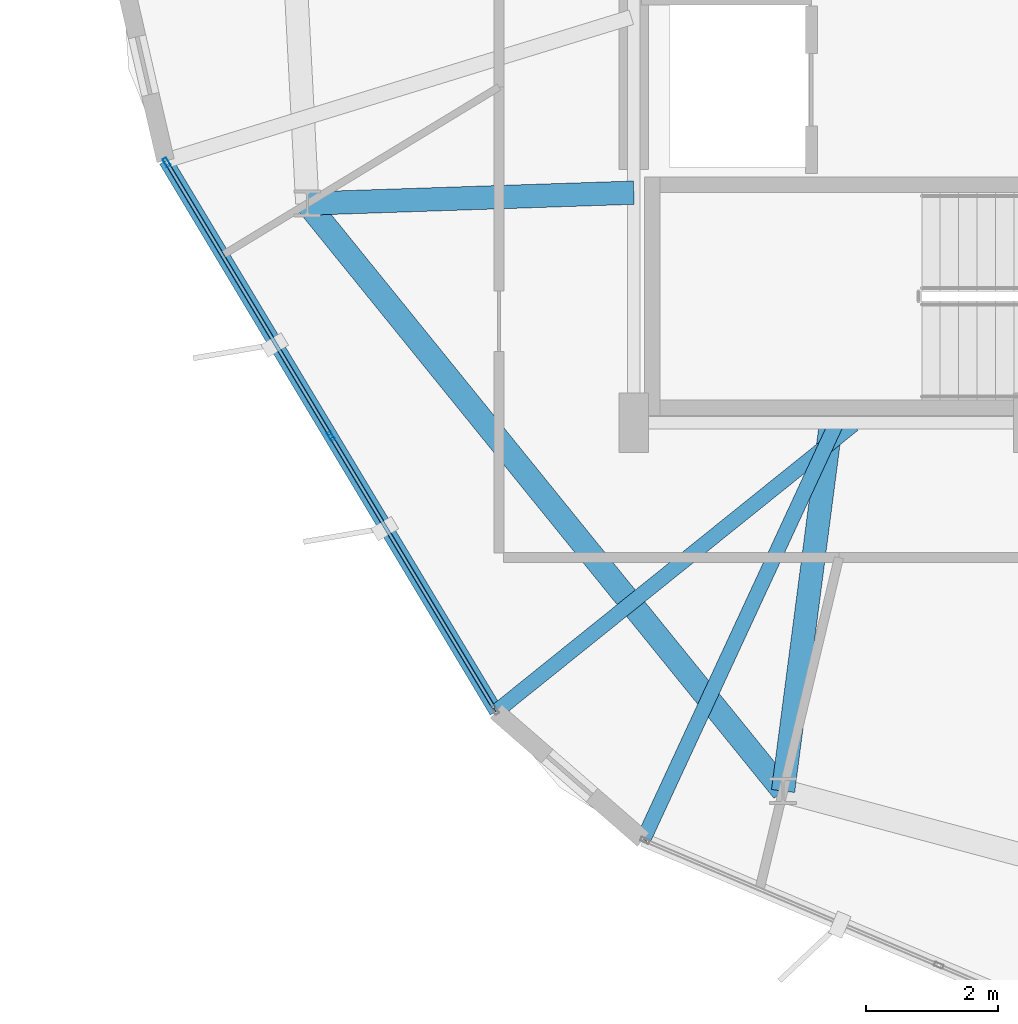
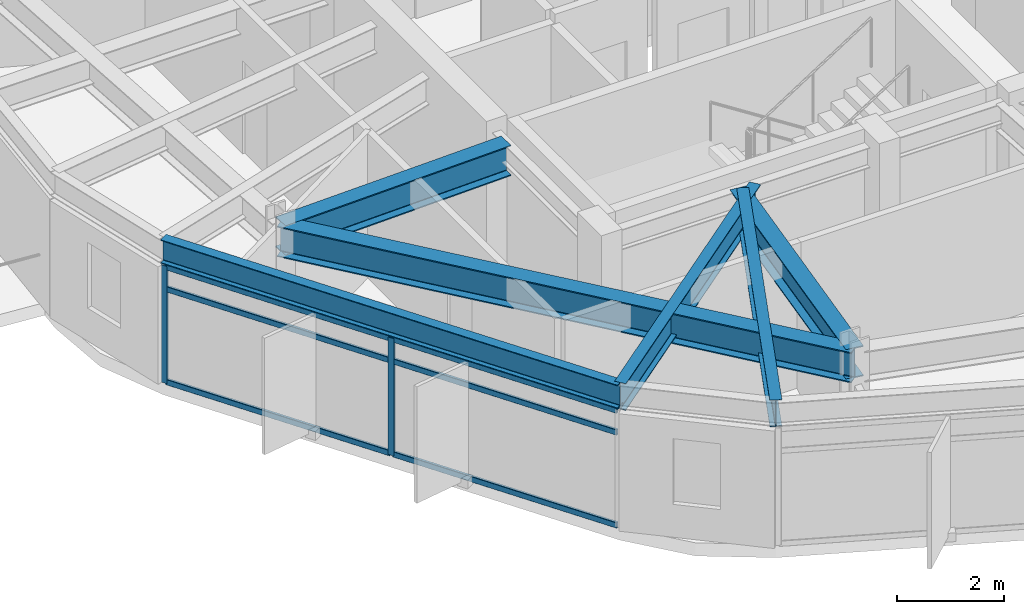
# One storey, part 3 of 27: 8 members, 6 beams, 1 element without a shape of its own.
"""IFC4 building model written with IfcOpenShell, lengths in metres."""

from ifc_helpers import new_model, si_unit, direction, frame, origin, origin_2d, place, context, subcontext, project, spatial, hollow_rectangle, i_section, extrude, material, layer, layer_set, material_profile, profile_set, type_object, element, aggregate, save


model = new_model("IFC4")

# Units and contexts
model_context = context("Model", 3, precision=1e-05, world=origin(), true_north=direction((0.0, 1.0)))
body_context = subcontext(model_context, "Body", "Model", "MODEL_VIEW")
ifc_project = project(units=[si_unit("LENGTHUNIT", "METRE"), si_unit("AREAUNIT", "SQUARE_METRE"), si_unit("VOLUMEUNIT", "CUBIC_METRE"), si_unit("PLANEANGLEUNIT", "RADIAN"), si_unit("MASSUNIT", "GRAM", prefix="KILO")], contexts=[model_context])

# Site, building, storey
site_placement = place(None, origin())
site = spatial("IfcSite", under=ifc_project, at=site_placement, CompositionType="ELEMENT")
building_placement = place(site_placement, origin())
building = spatial("IfcBuilding", under=site, at=building_placement, Name="Soratama Intermodal Tower", CompositionType="ELEMENT")
storey_placement = place(building_placement, frame((0.0, 0.0, 212.199951171875)))
storey = spatial("IfcBuildingStorey", under=building, at=storey_placement, Name="L53", CompositionType="ELEMENT", Elevation=212.199951171875)

# Beams
ifc_material_1 = material(Name="Structural steel ASTM A992 Grade 50", Category="steel")
ifc_material_profile_1 = material_profile(ifc_material_1, i_section(OverallWidth=0.35498046875, OverallDepth=0.695068359375, WebThickness=0.015380859375, FlangeThickness=0.02490234375, FilletRadius=0.01611328125, at=origin_2d()), Name="W27X146")
ifc_profile_set_1 = profile_set([ifc_material_profile_1], Name="Structural steel ASTM A992 Grade 50")
beam_type_1 = type_object("IfcBeamType", Name="BM-RING-W27X146", PredefinedType="BEAM", material=ifc_profile_set_1)
beam_1_placement = place(storey_placement, frame((27.635009765625, 18.333984375, 2.95263671875), z_axis=(0.629384551156, -0.777094001242, 0.0), x_axis=(0.777094001242, 0.629384551156, 0.0)))
element("IfcBeam", 1, at=beam_1_placement, inside=storey, type_object=beam_type_1, Name="BM-L53-RING-06", PredefinedType="BEAM", context=body_context, shape_type="SweptSolid", body=[
    extrude(i_section(OverallWidth=0.35498046875, OverallDepth=0.695068359375, WebThickness=0.015380859375, FlangeThickness=0.02490234375, FilletRadius=0.01611328125, at=origin_2d()), origin(), (0.0, 0.0, 1.0), 11.49560546875),
])
beam_2_placement = place(storey_placement, frame((32.60009765625, 18.5, 2.95263671875), z_axis=(-0.999441465401, -0.033417917907, 0.0), x_axis=(0.033417917907, -0.999441465401, 0.0)))
element("IfcBeam", 2, at=beam_2_placement, inside=storey, type_object=beam_type_1, Name="BM-L53-RAD-06", PredefinedType="BEAM", context=body_context, shape_type="SweptSolid", body=[
    extrude(i_section(OverallWidth=0.35498046875, OverallDepth=0.695068359375, WebThickness=0.015380859375, FlangeThickness=0.02490234375, FilletRadius=0.01611328125, at=origin_2d()), origin(), (0.0, 0.0, 1.0), 4.9677734375),
])
beam_3_placement = place(storey_placement, frame((35.60009765625, 15.0, 2.95263671875), z_axis=(-0.129280033694, -0.991608124658, 0.0), x_axis=(0.991608124658, -0.129280033694, 0.0)))
element("IfcBeam", 3, at=beam_3_placement, inside=storey, type_object=beam_type_1, Name="BM-L53-RAD-07", PredefinedType="BEAM", context=body_context, shape_type="SweptSolid", body=[
    extrude(i_section(OverallWidth=0.35498046875, OverallDepth=0.695068359375, WebThickness=0.015380859375, FlangeThickness=0.02490234375, FilletRadius=0.01611328125, at=origin_2d()), origin(), (0.0, 0.0, 1.0), 5.646484375),
])
ifc_material_2 = material(Name="Structural steel ASTM A992 Grade 50", Category="steel")
ifc_material_profile_2 = material_profile(ifc_material_2, i_section(OverallWidth=0.2099609375, OverallDepth=0.537109375, WebThickness=0.010986328125, FlangeThickness=0.017333984375, FilletRadius=0.012939453125, at=origin_2d()), Name="W21X68")
ifc_profile_set_2 = profile_set([ifc_material_profile_2], Name="Structural steel ASTM A992 Grade 50")
beam_type_2 = type_object("IfcBeamType", Name="BM-SPN-W21X68", PredefinedType="SPANDREL", material=ifc_profile_set_2)
beam_4_placement = place(storey_placement, frame((25.47998046875, 18.986083984375, 3.031494140625), z_axis=(0.514481055011, -0.857501745791, 0.0), x_axis=(0.857501745791, 0.514481055011, 0.0)))
element("IfcBeam", 4, at=beam_4_placement, inside=storey, type_object=beam_type_2, Name="BS-L53-F05", PredefinedType="SPANDREL", context=body_context, shape_type="SweptSolid", body=[
    extrude(i_section(OverallWidth=0.2099609375, OverallDepth=0.537109375, WebThickness=0.010986328125, FlangeThickness=0.017333984375, FilletRadius=0.012939453125, at=origin_2d()), origin(), (0.0, 0.0, 1.0), 9.769287109375),
])
ifc_material_3 = material(Name="Structural steel ASTM A992 Grade 50", Category="steel")
ifc_material_profile_3 = material_profile(ifc_material_3, i_section(OverallWidth=0.22900390625, OverallDepth=0.612060546875, WebThickness=0.011962890625, FlangeThickness=0.01953125, FilletRadius=0.012939453125, at=origin_2d()), Name="W24X84")
ifc_profile_set_3 = profile_set([ifc_material_profile_3], Name="Structural steel ASTM A992 Grade 50")
beam_type_3 = type_object("IfcBeamType", Name="BM-TIE-W24X84", PredefinedType="BEAM", material=ifc_profile_set_3)
beam_5_placement = place(storey_placement, frame((35.93701171875, 14.97509765625, 2.994140625), z_axis=(-0.779362587588, -0.626573185724, 0.0), x_axis=(0.626573185724, -0.779362587588, 0.0)))
element("IfcBeam", 5, at=beam_5_placement, inside=storey, type_object=beam_type_3, Name="BM-L53-TIE1-05", PredefinedType="BEAM", context=body_context, shape_type="SweptSolid", body=[
    extrude(i_section(OverallWidth=0.22900390625, OverallDepth=0.612060546875, WebThickness=0.011962890625, FlangeThickness=0.01953125, FilletRadius=0.012939453125, at=origin_2d()), origin(), (0.0, 0.0, 1.0), 6.968505859375),
])
beam_6_placement = place(storey_placement, frame((35.666015625, 14.964111328125, 2.994140625), z_axis=(-0.420708633064, -0.907195814621, 0.0), x_axis=(0.907195814621, -0.420708633064, 0.0)))
element("IfcBeam", 6, at=beam_6_placement, inside=storey, type_object=beam_type_3, Name="BM-L53-TIE0-06", PredefinedType="BEAM", context=body_context, shape_type="SweptSolid", body=[
    extrude(i_section(OverallWidth=0.22900390625, OverallDepth=0.612060546875, WebThickness=0.011962890625, FlangeThickness=0.01953125, FilletRadius=0.012939453125, at=origin_2d()), origin(), (0.0, 0.0, 1.0), 6.947998046875),
])

# Curtain wall, members
ifc_material_4 = material(Name="Double-glazed aluminium curtain wall", Category="aluminium")
ifc_layer = layer(ifc_material_4, 0.159912109375)
ifc_layer_set = layer_set([ifc_layer], Name="Double-glazed aluminium curtain wall")
curtain_wall_type = type_object("IfcCurtainWallType", Name="CW-SYS-5", PredefinedType="NOTDEFINED", material=ifc_layer_set)
curtain_wall_placement = place(storey_placement, origin())
curtain_wall = element("IfcCurtainWall", 7, at=curtain_wall_placement, inside=storey, type_object=curtain_wall_type, Name="L53 Faceted Curtain Wall F05", PredefinedType="NOTDEFINED")
ifc_material_5 = material(Name="Anodised aluminium AA 6063-T6", Category="aluminium")
ifc_material_profile_4 = material_profile(ifc_material_5, hollow_rectangle(XDim=0.06494140625, YDim=0.139892578125, WallThickness=0.0048828125, InnerFilletRadius=0.0048828125, OuterFilletRadius=0.010009765625, at=origin_2d()), Name="CWM140X65X5")
ifc_profile_set_4 = profile_set([ifc_material_profile_4], Name="Anodised aluminium AA 6063-T6")
member_type_1 = type_object("IfcMemberType", Name="MT-CWM-5", PredefinedType="MULLION", material=ifc_profile_set_4)
member_1_placement = place(storey_placement, frame((25.49560546875, 18.9599609375, 0.0), z_axis=(0.0, 0.0, 1.0), x_axis=(0.857527246406, 0.514438549948, 0.0)))
member_1 = element("IfcMember", 8, at=member_1_placement, type_object=member_type_1, Name="CW-5 mullion 1", PredefinedType="MULLION", context=body_context, shape_type="SweptSolid", body=[
    extrude(hollow_rectangle(XDim=0.06494140625, YDim=0.139892578125, WallThickness=0.0048828125, InnerFilletRadius=0.0048828125, OuterFilletRadius=0.010009765625, at=origin_2d()), origin(), (0.0, 0.0, 1.0), 2.678955078125),
])
member_2_placement = place(storey_placement, frame((27.992919921875, 14.79736328125, 0.0), z_axis=(0.0, 0.0, 1.0), x_axis=(0.857527246406, 0.514438549948, 0.0)))
member_2 = element("IfcMember", 9, at=member_2_placement, type_object=member_type_1, Name="CW-5 mullion 2", PredefinedType="MULLION", context=body_context, shape_type="SweptSolid", body=[
    extrude(hollow_rectangle(XDim=0.06494140625, YDim=0.139892578125, WallThickness=0.0048828125, InnerFilletRadius=0.0048828125, OuterFilletRadius=0.010009765625, at=origin_2d()), origin(), (0.0, 0.0, 1.0), 2.678955078125),
])
ifc_material_6 = material(Name="Anodised aluminium AA 6063-T6", Category="aluminium")
ifc_material_profile_5 = material_profile(ifc_material_6, hollow_rectangle(XDim=0.06005859375, YDim=0.1298828125, WallThickness=0.0048828125, InnerFilletRadius=0.0048828125, OuterFilletRadius=0.010009765625, at=origin_2d()), Name="CWT130X60X5")
ifc_profile_set_5 = profile_set([ifc_material_profile_5], Name="Anodised aluminium AA 6063-T6")
member_type_2 = type_object("IfcMemberType", Name="TT-CWT-2", PredefinedType="USERDEFINED", material=ifc_profile_set_5)
member_3_placement = place(storey_placement, frame((25.510986328125, 18.934326171875, 0.030029296875), z_axis=(0.514420867178, -0.857537854215, 0.0), x_axis=(0.857537854215, 0.514420867178, 0.0)))
member_3 = element("IfcMember", 10, at=member_3_placement, type_object=member_type_2, Name="CW-5 transom 1.1", ObjectType="TRANSOM", PredefinedType="USERDEFINED", context=body_context, shape_type="SweptSolid", body=[
    extrude(hollow_rectangle(XDim=0.06005859375, YDim=0.1298828125, WallThickness=0.0048828125, InnerFilletRadius=0.0048828125, OuterFilletRadius=0.010009765625, at=origin_2d()), origin(), (0.0, 0.0, 1.0), 4.79443359375),
])
member_4_placement = place(storey_placement, frame((25.510986328125, 18.934326171875, 2.150146484375), z_axis=(0.514420867178, -0.857537854215, 0.0), x_axis=(0.857537854215, 0.514420867178, 0.0)))
member_4 = element("IfcMember", 11, at=member_4_placement, type_object=member_type_2, Name="CW-5 transom 1.2", ObjectType="TRANSOM", PredefinedType="USERDEFINED", context=body_context, shape_type="SweptSolid", body=[
    extrude(hollow_rectangle(XDim=0.06005859375, YDim=0.1298828125, WallThickness=0.0048828125, InnerFilletRadius=0.0048828125, OuterFilletRadius=0.010009765625, at=origin_2d()), origin(), (0.0, 0.0, 1.0), 4.79443359375),
])
member_5_placement = place(storey_placement, frame((25.510986328125, 18.934326171875, 2.649169921875), z_axis=(0.514420867178, -0.857537854215, 0.0), x_axis=(0.857537854215, 0.514420867178, 0.0)))
member_5 = element("IfcMember", 12, at=member_5_placement, type_object=member_type_2, Name="CW-5 transom 1.3", ObjectType="TRANSOM", PredefinedType="USERDEFINED", context=body_context, shape_type="SweptSolid", body=[
    extrude(hollow_rectangle(XDim=0.06005859375, YDim=0.1298828125, WallThickness=0.0048828125, InnerFilletRadius=0.0048828125, OuterFilletRadius=0.010009765625, at=origin_2d()), origin(), (0.0, 0.0, 1.0), 4.79443359375),
])
member_6_placement = place(storey_placement, frame((28.00830078125, 14.771484375, 0.030029296875), z_axis=(0.514458312774, -0.857515390193, 0.0), x_axis=(0.857515390193, 0.514458312774, 0.0)))
member_6 = element("IfcMember", 13, at=member_6_placement, type_object=member_type_2, Name="CW-5 transom 2.1", ObjectType="TRANSOM", PredefinedType="USERDEFINED", context=body_context, shape_type="SweptSolid", body=[
    extrude(hollow_rectangle(XDim=0.06005859375, YDim=0.1298828125, WallThickness=0.0048828125, InnerFilletRadius=0.0048828125, OuterFilletRadius=0.010009765625, at=origin_2d()), origin(), (0.0, 0.0, 1.0), 4.79443359375),
])
member_7_placement = place(storey_placement, frame((28.00830078125, 14.771484375, 2.150146484375), z_axis=(0.514458312774, -0.857515390193, 0.0), x_axis=(0.857515390193, 0.514458312774, 0.0)))
member_7 = element("IfcMember", 14, at=member_7_placement, type_object=member_type_2, Name="CW-5 transom 2.2", ObjectType="TRANSOM", PredefinedType="USERDEFINED", context=body_context, shape_type="SweptSolid", body=[
    extrude(hollow_rectangle(XDim=0.06005859375, YDim=0.1298828125, WallThickness=0.0048828125, InnerFilletRadius=0.0048828125, OuterFilletRadius=0.010009765625, at=origin_2d()), origin(), (0.0, 0.0, 1.0), 4.79443359375),
])
member_8_placement = place(storey_placement, frame((28.00830078125, 14.771484375, 2.649169921875), z_axis=(0.514458312774, -0.857515390193, 0.0), x_axis=(0.857515390193, 0.514458312774, 0.0)))
member_8 = element("IfcMember", 15, at=member_8_placement, type_object=member_type_2, Name="CW-5 transom 2.3", ObjectType="TRANSOM", PredefinedType="USERDEFINED", context=body_context, shape_type="SweptSolid", body=[
    extrude(hollow_rectangle(XDim=0.06005859375, YDim=0.1298828125, WallThickness=0.0048828125, InnerFilletRadius=0.0048828125, OuterFilletRadius=0.010009765625, at=origin_2d()), origin(), (0.0, 0.0, 1.0), 4.79443359375),
])
aggregate(curtain_wall, [member_1, member_2, member_3, member_4, member_5, member_6, member_7, member_8])

save(model, "model.ifc")
